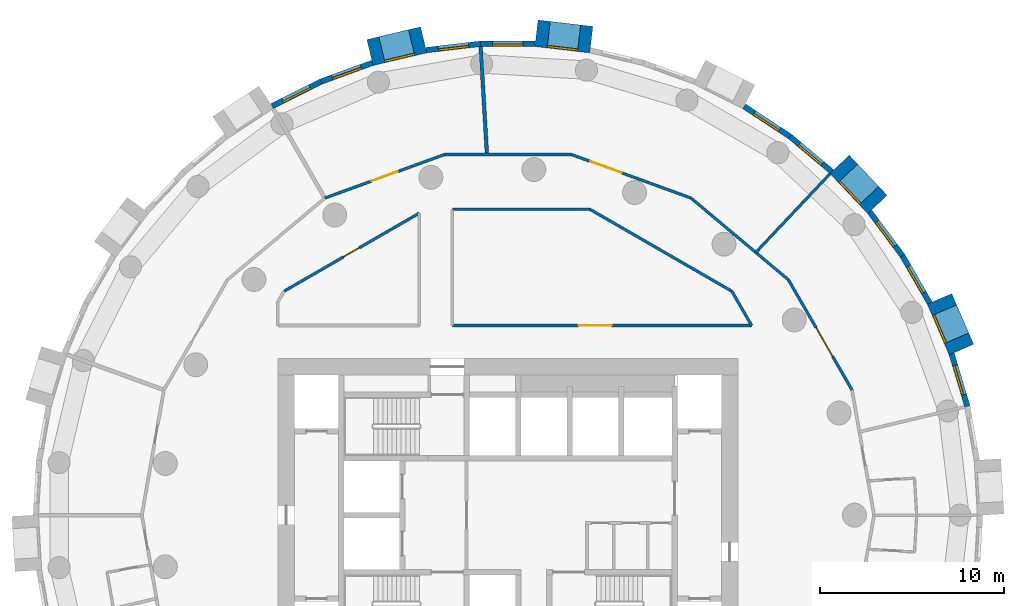
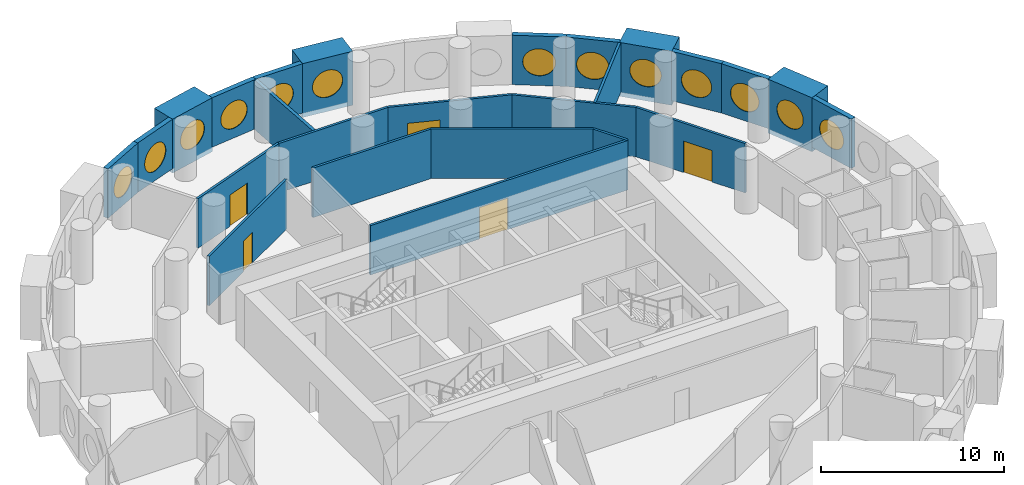
# One storey, part 7 of 9: 25 walls, 13 windows, 5 doors, 18 openings.
"""IFC4 building model written with IfcOpenShell, lengths in metres."""

from ifc_helpers import new_model, si_unit, direction, frame, frame_2d, origin, origin_2d, place, context, subcontext, project, spatial, rectangle, circle, extrude, material, layer, layer_set, type_object, element, fill, save


model = new_model("IFC4")

# Units and contexts
model_context = context("Model", 3, precision=1e-05, world=origin(), true_north=direction((0.0, 1.0)))
body_context = subcontext(model_context, "Body", "Model", "MODEL_VIEW")
ifc_project = project(units=[si_unit("LENGTHUNIT", "METRE"), si_unit("AREAUNIT", "SQUARE_METRE"), si_unit("VOLUMEUNIT", "CUBIC_METRE"), si_unit("PLANEANGLEUNIT", "RADIAN"), si_unit("MASSUNIT", "GRAM", prefix="KILO")], contexts=[model_context])

# Site, building, storey
site_placement = place(None, origin())
site = spatial("IfcSite", under=ifc_project, at=site_placement, CompositionType="ELEMENT")
building_placement = place(site_placement, origin())
building = spatial("IfcBuilding", under=site, at=building_placement, Name="Tracery Tower", CompositionType="ELEMENT")
storey_placement = place(building_placement, frame((0.0, 0.0, 198.0)))
storey = spatial("IfcBuildingStorey", under=building, at=storey_placement, Name="L51", CompositionType="ELEMENT", Elevation=198.0)

# Wall, opening, window
ifc_material_1 = material(Name="Precast concrete C50/60", Category="concrete")
ifc_layer_1 = layer(ifc_material_1, 1.449951171875)
ifc_layer_set_1 = layer_set([ifc_layer_1], Name="Deep-set bay unit 3000 x 3600, slab edge 300")
wall_type_1 = type_object("IfcWallType", Name="Deep-set bay unit 3000 x 3600, slab edge 300", PredefinedType="ELEMENTEDWALL", material=ifc_layer_set_1)
wall_1_placement = place(storey_placement, frame((24.632080078125, 8.99169921875, -0.300048828125), z_axis=(0.0, 0.0, 1.0), x_axis=(-0.396079003245, 0.918216435917, 0.0)))
wall_1 = element("IfcWall", 1, at=wall_1_placement, inside=storey, type_object=wall_type_1, Name="Deep-set bay unit 4 at L51", PredefinedType="ELEMENTEDWALL", context=body_context, shape_type="SweptSolid", body=[
    extrude(rectangle(XDim=3.0, YDim=1.449951171875, at=frame_2d((1.5, 0.0))), origin(), (0.0, 0.0, 1.0), 3.60009765625),
])
opening_1_placement = place(wall_1_placement, frame((1.5, 0.0, 1.85009765625)))
opening_1 = element("IfcOpeningElement", 2, at=opening_1_placement, cuts=wall_1, Name="Opening WN1", PredefinedType="OPENING", context=body_context, shape_type="SweptSolid", body=[
    extrude(circle(Radius=0.9000244140625, at=origin_2d()), frame((0.0, 0.73486328125, 0.0), z_axis=(0.0, -1.0, 0.0), x_axis=(1.0, 0.0, 0.0)), (0.0, 0.0, 1.0), 1.469970703125),
])
ifc_material_2 = material(Name="Aluminium frame with tinted double glazing", Category="aluminium")
window_type = type_object("IfcWindowType", Name="Round window 1800", PartitioningType="SINGLE_PANEL", PredefinedType="WINDOW", material=ifc_material_2)
window_1_placement = place(opening_1_placement, origin())
window_1 = element("IfcWindow", 3, at=window_1_placement, inside=storey, type_object=window_type, Name="Round window 4 at L51", OverallHeight=1.800048828125, OverallWidth=1.800048828125, PartitioningType="SINGLE_PANEL", PredefinedType="WINDOW", context=body_context, shape_type="SweptSolid", body=[
    extrude(circle(Radius=0.9000244140625, at=origin_2d()), frame((0.0, 0.69482421875, 0.0), z_axis=(0.0, -1.0, 0.0), x_axis=(1.0, 0.0, 0.0)), (0.0, 0.0, 1.0), 0.10009765625),
])
fill(opening_1, window_1)

wall_2_placement = place(storey_placement, frame((20.0712890625, 16.8740234375, -0.300048828125), z_axis=(0.0, 0.0, 1.0), x_axis=(-0.686217177108, 0.727396718334, 0.0)))
wall_2 = element("IfcWall", 4, at=wall_2_placement, inside=storey, type_object=wall_type_1, Name="Deep-set bay unit 7 at L51", PredefinedType="ELEMENTEDWALL", context=body_context, shape_type="SweptSolid", body=[
    extrude(rectangle(XDim=3.0, YDim=1.449951171875, at=frame_2d((1.5, 0.0))), origin(), (0.0, 0.0, 1.0), 3.60009765625),
])
opening_2_placement = place(wall_2_placement, frame((1.5, 0.0, 1.85009765625)))
opening_2 = element("IfcOpeningElement", 5, at=opening_2_placement, cuts=wall_2, Name="Opening WN1", PredefinedType="OPENING", context=body_context, shape_type="SweptSolid", body=[
    extrude(circle(Radius=0.9000244140625, at=origin_2d()), frame((0.0, 0.73486328125, 0.0), z_axis=(0.0, -1.0, 0.0), x_axis=(1.0, 0.0, 0.0)), (0.0, 0.0, 1.0), 1.469970703125),
])
window_2_placement = place(opening_2_placement, origin())
window_2 = element("IfcWindow", 6, at=window_2_placement, inside=storey, type_object=window_type, Name="Round window 7 at L51", OverallHeight=1.800048828125, OverallWidth=1.800048828125, PartitioningType="SINGLE_PANEL", PredefinedType="WINDOW", context=body_context, shape_type="SweptSolid", body=[
    extrude(circle(Radius=0.9000244140625, at=origin_2d()), frame((0.0, 0.69482421875, 0.0), z_axis=(0.0, -1.0, 0.0), x_axis=(1.0, 0.0, 0.0)), (0.0, 0.0, 1.0), 0.10009765625),
])
fill(opening_2, window_2)

wall_3_placement = place(storey_placement, frame((4.529052734375, 25.827880859375, -0.300048828125), z_axis=(0.0, 0.0, 1.0), x_axis=(-0.9932342274, 0.116128246006, 0.0)))
wall_3 = element("IfcWall", 7, at=wall_3_placement, inside=storey, type_object=wall_type_1, Name="Deep-set bay unit 13 at L51", PredefinedType="ELEMENTEDWALL", context=body_context, shape_type="SweptSolid", body=[
    extrude(rectangle(XDim=3.0, YDim=1.449951171875, at=frame_2d((1.5, 0.0))), origin(), (0.0, 0.0, 1.0), 3.60009765625),
])
opening_3_placement = place(wall_3_placement, frame((1.5, 0.0, 1.85009765625)))
opening_3 = element("IfcOpeningElement", 8, at=opening_3_placement, cuts=wall_3, Name="Opening WN1", PredefinedType="OPENING", context=body_context, shape_type="SweptSolid", body=[
    extrude(circle(Radius=0.9000244140625, at=origin_2d()), frame((0.0, 0.73486328125, 0.0), z_axis=(0.0, -1.0, 0.0), x_axis=(1.0, 0.0, 0.0)), (0.0, 0.0, 1.0), 1.469970703125),
])
window_3_placement = place(opening_3_placement, origin())
window_3 = element("IfcWindow", 9, at=window_3_placement, inside=storey, type_object=window_type, Name="Round window 13 at L51", OverallHeight=1.800048828125, OverallWidth=1.800048828125, PartitioningType="SINGLE_PANEL", PredefinedType="WINDOW", context=body_context, shape_type="SweptSolid", body=[
    extrude(circle(Radius=0.9000244140625, at=origin_2d()), frame((0.0, 0.69482421875, 0.0), z_axis=(0.0, -1.0, 0.0), x_axis=(1.0, 0.0, 0.0)), (0.0, 0.0, 1.0), 0.10009765625),
])
fill(opening_3, window_3)

wall_4_placement = place(storey_placement, frame((-4.57763671875, 25.8193359375, -0.300048828125), z_axis=(0.0, 0.0, 1.0), x_axis=(-0.973042333261, -0.23062657627, 0.0)))
wall_4 = element("IfcWall", 10, at=wall_4_placement, inside=storey, type_object=wall_type_1, Name="Deep-set bay unit 16 at L51", PredefinedType="ELEMENTEDWALL", context=body_context, shape_type="SweptSolid", body=[
    extrude(rectangle(XDim=3.0, YDim=1.449951171875, at=frame_2d((1.5, 0.0))), origin(), (0.0, 0.0, 1.0), 3.60009765625),
])
opening_4_placement = place(wall_4_placement, frame((1.5, 0.0, 1.85009765625)))
opening_4 = element("IfcOpeningElement", 11, at=opening_4_placement, cuts=wall_4, Name="Opening WN1", PredefinedType="OPENING", context=body_context, shape_type="SweptSolid", body=[
    extrude(circle(Radius=0.9000244140625, at=origin_2d()), frame((0.0, 0.73486328125, 0.0), z_axis=(0.0, -1.0, 0.0), x_axis=(1.0, 0.0, 0.0)), (0.0, 0.0, 1.0), 1.469970703125),
])
window_4_placement = place(opening_4_placement, origin())
window_4 = element("IfcWindow", 12, at=window_4_placement, inside=storey, type_object=window_type, Name="Round window 16 at L51", OverallHeight=1.800048828125, OverallWidth=1.800048828125, PartitioningType="SINGLE_PANEL", PredefinedType="WINDOW", context=body_context, shape_type="SweptSolid", body=[
    extrude(circle(Radius=0.9000244140625, at=origin_2d()), frame((0.0, 0.69482421875, 0.0), z_axis=(0.0, -1.0, 0.0), x_axis=(1.0, 0.0, 0.0)), (0.0, 0.0, 1.0), 0.10009765625),
])
fill(opening_4, window_4)

ifc_material_3 = material(Name="Precast concrete C50/60", Category="concrete")
ifc_layer_2 = layer(ifc_material_3, 0.300048828125)
ifc_layer_set_2 = layer_set([ifc_layer_2], Name="Facade panel 3000 x 3300")
wall_type_2 = type_object("IfcWallType", Name="Facade panel 3000 x 3300", PredefinedType="SOLIDWALL", material=ifc_layer_set_2)
wall_5_placement = place(storey_placement, frame((24.9560546875, 5.914794921875, 0.0), z_axis=(0.0, 0.0, 1.0), x_axis=(-0.286782750849, 0.957995643944, 0.0)))
wall_5 = element("IfcWall", 13, at=wall_5_placement, inside=storey, type_object=wall_type_2, Name="Facade panel 3 at L51", PredefinedType="SOLIDWALL", context=body_context, shape_type="SweptSolid", body=[
    extrude(rectangle(XDim=2.97265625, YDim=0.300048828125, at=frame_2d((1.486328125, 0.0))), origin(), (0.0, 0.0, 1.0), 3.300048828125),
])
opening_5_placement = place(wall_5_placement, frame((1.486328125, 0.0, 1.5498046875)))
opening_5 = element("IfcOpeningElement", 14, at=opening_5_placement, cuts=wall_5, Name="Opening WN1", PredefinedType="OPENING", context=body_context, shape_type="SweptSolid", body=[
    extrude(circle(Radius=0.9000244140625, at=origin_2d()), frame((0.0, 0.159912109375, 0.0), z_axis=(0.0, -1.0, 0.0), x_axis=(1.0, 0.0, 0.0)), (0.0, 0.0, 1.0), 0.320068359375),
])
window_5_placement = place(opening_5_placement, origin())
window_5 = element("IfcWindow", 15, at=window_5_placement, inside=storey, type_object=window_type, Name="Round window 3 at L51", OverallHeight=1.800048828125, OverallWidth=1.800048828125, PartitioningType="SINGLE_PANEL", PredefinedType="WINDOW", context=body_context, shape_type="SweptSolid", body=[
    extrude(circle(Radius=0.9000244140625, at=origin_2d()), frame((0.0, 0.1201171875, 0.0), z_axis=(0.0, -1.0, 0.0), x_axis=(1.0, 0.0, 0.0)), (0.0, 0.0, 1.0), 0.10009765625),
])
fill(opening_5, window_5)

wall_6_placement = place(storey_placement, frame((22.91455078125, 11.518798828125, 0.0), z_axis=(0.0, 0.0, 1.0), x_axis=(-0.499954672104, 0.866051572276, 0.0)))
wall_6 = element("IfcWall", 16, at=wall_6_placement, inside=storey, type_object=wall_type_2, Name="Facade panel 5 at L51", PredefinedType="SOLIDWALL", context=body_context, shape_type="SweptSolid", body=[
    extrude(rectangle(XDim=2.972900390625, YDim=0.300048828125, at=frame_2d((1.486328125, 0.0))), origin(), (0.0, 0.0, 1.0), 3.300048828125),
])
opening_6_placement = place(wall_6_placement, frame((1.486328125, 0.0, 1.5498046875)))
opening_6 = element("IfcOpeningElement", 17, at=opening_6_placement, cuts=wall_6, Name="Opening WN1", PredefinedType="OPENING", context=body_context, shape_type="SweptSolid", body=[
    extrude(circle(Radius=0.9000244140625, at=origin_2d()), frame((0.0, 0.159912109375, 0.0), z_axis=(0.0, -1.0, 0.0), x_axis=(1.0, 0.0, 0.0)), (0.0, 0.0, 1.0), 0.320068359375),
])
window_6_placement = place(opening_6_placement, origin())
window_6 = element("IfcWindow", 18, at=window_6_placement, inside=storey, type_object=window_type, Name="Round window 5 at L51", OverallHeight=1.800048828125, OverallWidth=1.800048828125, PartitioningType="SINGLE_PANEL", PredefinedType="WINDOW", context=body_context, shape_type="SweptSolid", body=[
    extrude(circle(Radius=0.9000244140625, at=origin_2d()), frame((0.0, 0.1201171875, 0.0), z_axis=(0.0, -1.0, 0.0), x_axis=(1.0, 0.0, 0.0)), (0.0, 0.0, 1.0), 0.10009765625),
])
fill(opening_6, window_6)

wall_7_placement = place(storey_placement, frame((21.42822265625, 14.093505859375, 0.0), z_axis=(0.0, 0.0, 1.0), x_axis=(-0.597197580538, 0.80209416517, 0.0)))
wall_7 = element("IfcWall", 19, at=wall_7_placement, inside=storey, type_object=wall_type_2, Name="Facade panel 6 at L51", PredefinedType="SOLIDWALL", context=body_context, shape_type="SweptSolid", body=[
    extrude(rectangle(XDim=2.972900390625, YDim=0.300048828125, at=frame_2d((1.486328125, 0.0))), origin(), (0.0, 0.0, 1.0), 3.300048828125),
])
opening_7_placement = place(wall_7_placement, frame((1.486328125, 0.0, 1.5498046875)))
opening_7 = element("IfcOpeningElement", 20, at=opening_7_placement, cuts=wall_7, Name="Opening WN1", PredefinedType="OPENING", context=body_context, shape_type="SweptSolid", body=[
    extrude(circle(Radius=0.9000244140625, at=origin_2d()), frame((0.0, 0.159912109375, 0.0), z_axis=(0.0, -1.0, 0.0), x_axis=(1.0, 0.0, 0.0)), (0.0, 0.0, 1.0), 0.320068359375),
])
window_7_placement = place(opening_7_placement, origin())
window_7 = element("IfcWindow", 21, at=window_7_placement, inside=storey, type_object=window_type, Name="Round window 6 at L51", OverallHeight=1.800048828125, OverallWidth=1.800048828125, PartitioningType="SINGLE_PANEL", PredefinedType="WINDOW", context=body_context, shape_type="SweptSolid", body=[
    extrude(circle(Radius=0.9000244140625, at=origin_2d()), frame((0.0, 0.1201171875, 0.0), z_axis=(0.0, -1.0, 0.0), x_axis=(1.0, 0.0, 0.0)), (0.0, 0.0, 1.0), 0.10009765625),
])
fill(opening_7, window_7)

wall_8_placement = place(storey_placement, frame((17.593017578125, 18.661376953125, 0.0), z_axis=(0.0, 0.0, 1.0), x_axis=(-0.766008913364, 0.642829950023, 0.0)))
wall_8 = element("IfcWall", 22, at=wall_8_placement, inside=storey, type_object=wall_type_2, Name="Facade panel 8 at L51", PredefinedType="SOLIDWALL", context=body_context, shape_type="SweptSolid", body=[
    extrude(rectangle(XDim=2.972900390625, YDim=0.300048828125, at=frame_2d((1.486328125, 0.0))), origin(), (0.0, 0.0, 1.0), 3.300048828125),
])
opening_8_placement = place(wall_8_placement, frame((1.486328125, 0.0, 1.5498046875)))
opening_8 = element("IfcOpeningElement", 23, at=opening_8_placement, cuts=wall_8, Name="Opening WN1", PredefinedType="OPENING", context=body_context, shape_type="SweptSolid", body=[
    extrude(circle(Radius=0.9000244140625, at=origin_2d()), frame((0.0, 0.159912109375, 0.0), z_axis=(0.0, -1.0, 0.0), x_axis=(1.0, 0.0, 0.0)), (0.0, 0.0, 1.0), 0.320068359375),
])
window_8_placement = place(opening_8_placement, origin())
window_8 = element("IfcWindow", 24, at=window_8_placement, inside=storey, type_object=window_type, Name="Round window 8 at L51", OverallHeight=1.800048828125, OverallWidth=1.800048828125, PartitioningType="SINGLE_PANEL", PredefinedType="WINDOW", context=body_context, shape_type="SweptSolid", body=[
    extrude(circle(Radius=0.9000244140625, at=origin_2d()), frame((0.0, 0.1201171875, 0.0), z_axis=(0.0, -1.0, 0.0), x_axis=(1.0, 0.0, 0.0)), (0.0, 0.0, 1.0), 0.10009765625),
])
fill(opening_8, window_8)

wall_9_placement = place(storey_placement, frame((15.315673828125, 20.572509765625, 0.0), z_axis=(0.0, 0.0, 1.0), x_axis=(-0.835508361394, 0.54947773207, 0.0)))
wall_9 = element("IfcWall", 25, at=wall_9_placement, inside=storey, type_object=wall_type_2, Name="Facade panel 9 at L51", PredefinedType="SOLIDWALL", context=body_context, shape_type="SweptSolid", body=[
    extrude(rectangle(XDim=2.972900390625, YDim=0.300048828125, at=frame_2d((1.486328125, 0.0))), origin(), (0.0, 0.0, 1.0), 3.300048828125),
])
opening_9_placement = place(wall_9_placement, frame((1.486328125, 0.0, 1.5498046875)))
opening_9 = element("IfcOpeningElement", 26, at=opening_9_placement, cuts=wall_9, Name="Opening WN1", PredefinedType="OPENING", context=body_context, shape_type="SweptSolid", body=[
    extrude(circle(Radius=0.9000244140625, at=origin_2d()), frame((0.0, 0.159912109375, 0.0), z_axis=(0.0, -1.0, 0.0), x_axis=(1.0, 0.0, 0.0)), (0.0, 0.0, 1.0), 0.320068359375),
])
window_9_placement = place(opening_9_placement, origin())
window_9 = element("IfcWindow", 27, at=window_9_placement, inside=storey, type_object=window_type, Name="Round window 9 at L51", OverallHeight=1.800048828125, OverallWidth=1.800048828125, PartitioningType="SINGLE_PANEL", PredefinedType="WINDOW", context=body_context, shape_type="SweptSolid", body=[
    extrude(circle(Radius=0.9000244140625, at=origin_2d()), frame((0.0, 0.1201171875, 0.0), z_axis=(0.0, -1.0, 0.0), x_axis=(1.0, 0.0, 0.0)), (0.0, 0.0, 1.0), 0.10009765625),
])
fill(opening_9, window_9)

wall_10_placement = place(storey_placement, frame((1.481689453125, 25.60400390625, 0.0), z_axis=(0.0, 0.0, 1.0), x_axis=(-1.0, 0.0, 0.0)))
wall_10 = element("IfcWall", 28, at=wall_10_placement, inside=storey, type_object=wall_type_2, Name="Facade panel 14 at L51", PredefinedType="SOLIDWALL", context=body_context, shape_type="SweptSolid", body=[
    extrude(rectangle(XDim=2.972900390625, YDim=0.300048828125, at=frame_2d((1.486328125, 0.0))), origin(), (0.0, 0.0, 1.0), 3.300048828125),
])
opening_10_placement = place(wall_10_placement, frame((1.486328125, 0.0, 1.5498046875)))
opening_10 = element("IfcOpeningElement", 29, at=opening_10_placement, cuts=wall_10, Name="Opening WN1", PredefinedType="OPENING", context=body_context, shape_type="SweptSolid", body=[
    extrude(circle(Radius=0.9000244140625, at=origin_2d()), frame((0.0, 0.159912109375, 0.0), z_axis=(0.0, -1.0, 0.0), x_axis=(1.0, 0.0, 0.0)), (0.0, 0.0, 1.0), 0.320068359375),
])
window_10_placement = place(opening_10_placement, origin())
window_10 = element("IfcWindow", 30, at=window_10_placement, inside=storey, type_object=window_type, Name="Round window 14 at L51", OverallHeight=1.800048828125, OverallWidth=1.800048828125, PartitioningType="SINGLE_PANEL", PredefinedType="WINDOW", context=body_context, shape_type="SweptSolid", body=[
    extrude(circle(Radius=0.9000244140625, at=origin_2d()), frame((0.0, 0.1201171875, 0.0), z_axis=(0.0, -1.0, 0.0), x_axis=(1.0, 0.0, 0.0)), (0.0, 0.0, 1.0), 0.10009765625),
])
fill(opening_10, window_10)

wall_11_placement = place(storey_placement, frame((-1.4912109375, 25.60400390625, 0.0), z_axis=(0.0, 0.0, 1.0), x_axis=(-0.993245010522, -0.1160359818, 0.0)))
wall_11 = element("IfcWall", 31, at=wall_11_placement, inside=storey, type_object=wall_type_2, Name="Facade panel 15 at L51", PredefinedType="SOLIDWALL", context=body_context, shape_type="SweptSolid", body=[
    extrude(rectangle(XDim=2.972900390625, YDim=0.300048828125, at=frame_2d((1.486328125, 0.0))), origin(), (0.0, 0.0, 1.0), 3.300048828125),
])
opening_11_placement = place(wall_11_placement, frame((1.486328125, 0.0, 1.5498046875)))
opening_11 = element("IfcOpeningElement", 32, at=opening_11_placement, cuts=wall_11, Name="Opening WN1", PredefinedType="OPENING", context=body_context, shape_type="SweptSolid", body=[
    extrude(circle(Radius=0.9000244140625, at=origin_2d()), frame((0.0, 0.159912109375, 0.0), z_axis=(0.0, -1.0, 0.0), x_axis=(1.0, 0.0, 0.0)), (0.0, 0.0, 1.0), 0.320068359375),
])
window_11_placement = place(opening_11_placement, origin())
window_11 = element("IfcWindow", 33, at=window_11_placement, inside=storey, type_object=window_type, Name="Round window 15 at L51", OverallHeight=1.800048828125, OverallWidth=1.800048828125, PartitioningType="SINGLE_PANEL", PredefinedType="WINDOW", context=body_context, shape_type="SweptSolid", body=[
    extrude(circle(Radius=0.9000244140625, at=origin_2d()), frame((0.0, 0.1201171875, 0.0), z_axis=(0.0, -1.0, 0.0), x_axis=(1.0, 0.0, 0.0)), (0.0, 0.0, 1.0), 0.10009765625),
])
fill(opening_11, window_11)

wall_12_placement = place(storey_placement, frame((-7.36474609375, 24.566650390625, 0.0), z_axis=(0.0, 0.0, 1.0), x_axis=(-0.939690282133, -0.342026568652, 0.0)))
wall_12 = element("IfcWall", 34, at=wall_12_placement, inside=storey, type_object=wall_type_2, Name="Facade panel 17 at L51", PredefinedType="SOLIDWALL", context=body_context, shape_type="SweptSolid", body=[
    extrude(rectangle(XDim=2.972900390625, YDim=0.300048828125, at=frame_2d((1.486328125, 0.0))), origin(), (0.0, 0.0, 1.0), 3.300048828125),
])
opening_12_placement = place(wall_12_placement, frame((1.486328125, 0.0, 1.5498046875)))
opening_12 = element("IfcOpeningElement", 35, at=opening_12_placement, cuts=wall_12, Name="Opening WN1", PredefinedType="OPENING", context=body_context, shape_type="SweptSolid", body=[
    extrude(circle(Radius=0.9000244140625, at=origin_2d()), frame((0.0, 0.159912109375, 0.0), z_axis=(0.0, -1.0, 0.0), x_axis=(1.0, 0.0, 0.0)), (0.0, 0.0, 1.0), 0.320068359375),
])
window_12_placement = place(opening_12_placement, origin())
window_12 = element("IfcWindow", 36, at=window_12_placement, inside=storey, type_object=window_type, Name="Round window 17 at L51", OverallHeight=1.800048828125, OverallWidth=1.800048828125, PartitioningType="SINGLE_PANEL", PredefinedType="WINDOW", context=body_context, shape_type="SweptSolid", body=[
    extrude(circle(Radius=0.9000244140625, at=origin_2d()), frame((0.0, 0.1201171875, 0.0), z_axis=(0.0, -1.0, 0.0), x_axis=(1.0, 0.0, 0.0)), (0.0, 0.0, 1.0), 0.10009765625),
])
fill(opening_12, window_12)

wall_13_placement = place(storey_placement, frame((-10.158447265625, 23.5498046875, 0.0), z_axis=(0.0, 0.0, 1.0), x_axis=(-0.893637442555, -0.448789618045, 0.0)))
wall_13 = element("IfcWall", 37, at=wall_13_placement, inside=storey, type_object=wall_type_2, Name="Facade panel 18 at L51", PredefinedType="SOLIDWALL", context=body_context, shape_type="SweptSolid", body=[
    extrude(rectangle(XDim=2.972900390625, YDim=0.300048828125, at=frame_2d((1.486328125, 0.0))), origin(), (0.0, 0.0, 1.0), 3.300048828125),
])
opening_13_placement = place(wall_13_placement, frame((1.486328125, 0.0, 1.5498046875)))
opening_13 = element("IfcOpeningElement", 38, at=opening_13_placement, cuts=wall_13, Name="Opening WN1", PredefinedType="OPENING", context=body_context, shape_type="SweptSolid", body=[
    extrude(circle(Radius=0.9000244140625, at=origin_2d()), frame((0.0, 0.159912109375, 0.0), z_axis=(0.0, -1.0, 0.0), x_axis=(1.0, 0.0, 0.0)), (0.0, 0.0, 1.0), 0.320068359375),
])
window_13_placement = place(opening_13_placement, origin())
window_13 = element("IfcWindow", 39, at=window_13_placement, inside=storey, type_object=window_type, Name="Round window 18 at L51", OverallHeight=1.800048828125, OverallWidth=1.800048828125, PartitioningType="SINGLE_PANEL", PredefinedType="WINDOW", context=body_context, shape_type="SweptSolid", body=[
    extrude(circle(Radius=0.9000244140625, at=origin_2d()), frame((0.0, 0.1201171875, 0.0), z_axis=(0.0, -1.0, 0.0), x_axis=(1.0, 0.0, 0.0)), (0.0, 0.0, 1.0), 0.10009765625),
])
fill(opening_13, window_13)

# Wall
ifc_material_4 = material(Name="Plasterboard on steel studs", Category="steel")
ifc_layer_3 = layer(ifc_material_4, 0.14990234375)
ifc_layer_set_3 = layer_set([ifc_layer_3], Name="Partition 150 acoustic unit wall")
wall_type_3 = type_object("IfcWallType", Name="Partition 150 acoustic unit wall", PredefinedType="PARTITIONING", material=ifc_layer_set_3)
wall_14_placement = place(storey_placement, frame((13.462890625, 14.27001953125, 0.0), z_axis=(0.0, 0.0, 1.0), x_axis=(0.6862502776, 0.72736549031, 0.0)))
element("IfcWall", 40, at=wall_14_placement, inside=storey, type_object=wall_type_3, Name="Unit wall RB7-044", PredefinedType="PARTITIONING", context=body_context, shape_type="SweptSolid", body=[
    extrude(rectangle(XDim=5.878662109375, YDim=0.14990234375, at=frame_2d((2.939453125, 0.0))), origin(), (0.0, 0.0, 1.0), 3.300048828125),
])

# Wall, opening, door
ifc_material_5 = material(Name="Plasterboard on steel studs", Category="steel")
ifc_layer_4 = layer(ifc_material_5, 0.14990234375)
ifc_layer_set_4 = layer_set([ifc_layer_4], Name="Partition 150 corridor wall")
wall_type_4 = type_object("IfcWallType", Name="Partition 150 corridor wall", PredefinedType="PARTITIONING", material=ifc_layer_set_4)
wall_15_placement = place(storey_placement, frame((-3.02490234375, 10.300048828125, 0.0), z_axis=(0.0, 0.0, 1.0), x_axis=(1.0, 0.0, 0.0)))
wall_15 = element("IfcWall", 41, at=wall_15_placement, inside=storey, type_object=wall_type_4, Name="Corridor wall RB7-002", PredefinedType="PARTITIONING", context=body_context, shape_type="SweptSolid", body=[
    extrude(rectangle(XDim=16.261962890625, YDim=0.14990234375, at=frame_2d((8.130859375, 0.0))), origin(), (0.0, 0.0, 1.0), 3.300048828125),
])
opening_14_placement = place(wall_15_placement, frame((6.863037109375, 0.0, 0.0)))
opening_14 = element("IfcOpeningElement", 42, at=opening_14_placement, cuts=wall_15, Name="Opening RB7-02", PredefinedType="OPENING", context=body_context, shape_type="SweptSolid", body=[
    extrude(rectangle(XDim=1.800048828125, YDim=2.10009765625, at=frame_2d((0.89990234375, 1.050048828125))), frame((0.0, 0.074951171875, 0.0), z_axis=(0.0, -1.0, 0.0), x_axis=(1.0, 0.0, 0.0)), (0.0, 0.0, 1.0), 0.14990234375),
])
ifc_material_6 = material(Name="Timber door leaf", Category="wood")
door_type_1 = type_object("IfcDoorType", Name="Door double lounge 1800", OperationType="NOTDEFINED", PredefinedType="DOOR", material=ifc_material_6)
door_1_placement = place(opening_14_placement, origin())
door_1 = element("IfcDoor", 43, at=door_1_placement, inside=storey, type_object=door_type_1, Name="Double lounge door RB7-02", OperationType="DOUBLE_DOOR_SINGLE_SWING", OverallHeight=2.10009765625, OverallWidth=1.800048828125, PredefinedType="DOOR", context=body_context, shape_type="SweptSolid", body=[
    extrude(rectangle(XDim=1.800048828125, YDim=2.10009765625, at=frame_2d((0.89990234375, 1.050048828125))), frame((0.0, 0.02490234375, 0.0), z_axis=(0.0, -1.0, 0.0), x_axis=(1.0, 0.0, 0.0)), (0.0, 0.0, 1.0), 0.050048828125),
])
fill(opening_14, door_1)

# Walls
wall_16_placement = place(storey_placement, frame((12.162109375, 12.162109375, 0.0), z_axis=(0.0, 0.0, 1.0), x_axis=(0.499961633463, -0.866047553582, 0.0)))
element("IfcWall", 44, at=wall_16_placement, inside=storey, type_object=wall_type_4, Name="Corridor wall RB7-005", PredefinedType="PARTITIONING", context=body_context, shape_type="SweptSolid", body=[
    extrude(rectangle(XDim=2.150146484375, YDim=0.14990234375, at=frame_2d((1.0751953125, 0.0))), origin(), (0.0, 0.0, 1.0), 3.300048828125),
])
wall_17_placement = place(storey_placement, frame((9.943359375, 17.22216796875, 0.0), z_axis=(0.0, 0.0, 1.0), x_axis=(0.766192104565, -0.642611592567, 0.0)))
element("IfcWall", 45, at=wall_17_placement, inside=storey, type_object=wall_type_4, Name="Corridor wall RB7-008", PredefinedType="PARTITIONING", context=body_context, shape_type="SweptSolid", body=[
    extrude(rectangle(XDim=6.906494140625, YDim=0.14990234375, at=frame_2d((3.453125, 0.0))), origin(), (0.0, 0.0, 1.0), 3.300048828125),
])

# Wall, opening, door
wall_18_placement = place(storey_placement, frame((15.235107421875, 12.783935546875, 0.0), z_axis=(0.0, 0.0, 1.0), x_axis=(0.499914202267, -0.866074933462, 0.0)))
wall_18 = element("IfcWall", 46, at=wall_18_placement, inside=storey, type_object=wall_type_4, Name="Corridor wall RB7-009", PredefinedType="PARTITIONING", context=body_context, shape_type="SweptSolid", body=[
    extrude(rectangle(XDim=6.906982421875, YDim=0.14990234375, at=frame_2d((3.45361328125, 0.0))), origin(), (0.0, 0.0, 1.0), 3.300048828125),
])
opening_15_placement = place(wall_18_placement, frame((3.00390625, 0.0, 0.0)))
opening_15 = element("IfcOpeningElement", 47, at=opening_15_placement, cuts=wall_18, Name="Opening RB7-07", PredefinedType="OPENING", context=body_context, shape_type="SweptSolid", body=[
    extrude(rectangle(XDim=1.800048828125, YDim=2.10009765625, at=frame_2d((0.89990234375, 1.050048828125))), frame((0.0, 0.074951171875, 0.0), z_axis=(0.0, -1.0, 0.0), x_axis=(1.0, 0.0, 0.0)), (0.0, 0.0, 1.0), 0.14990234375),
])
door_2_placement = place(opening_15_placement, origin())
door_2 = element("IfcDoor", 48, at=door_2_placement, inside=storey, type_object=door_type_1, Name="Double lounge door RB7-07", OperationType="DOUBLE_DOOR_SINGLE_SWING", OverallHeight=2.10009765625, OverallWidth=1.800048828125, PredefinedType="DOOR", context=body_context, shape_type="SweptSolid", body=[
    extrude(rectangle(XDim=1.800048828125, YDim=2.10009765625, at=frame_2d((0.89990234375, 1.050048828125))), frame((0.0, 0.02490234375, 0.0), z_axis=(0.0, -1.0, 0.0), x_axis=(1.0, 0.0, 0.0)), (0.0, 0.0, 1.0), 0.050048828125),
])
fill(opening_15, door_2)

wall_19_placement = place(storey_placement, frame((-12.162109375, 12.162109375, 0.0), z_axis=(0.0, 0.0, 1.0), x_axis=(0.866004766557, 0.500035743023, 0.0)))
wall_19 = element("IfcWall", 49, at=wall_19_placement, inside=storey, type_object=wall_type_4, Name="Corridor wall RB7-015", PredefinedType="PARTITIONING", context=body_context, shape_type="SweptSolid", body=[
    extrude(rectangle(XDim=8.47705078125, YDim=0.14990234375, at=frame_2d((4.238525390625, 0.0))), origin(), (0.0, 0.0, 1.0), 3.300048828125),
])
opening_16_placement = place(wall_19_placement, frame((3.739013671875, 0.0, 0.0)))
opening_16 = element("IfcOpeningElement", 50, at=opening_16_placement, cuts=wall_19, Name="Opening RB7-01", PredefinedType="OPENING", context=body_context, shape_type="SweptSolid", body=[
    extrude(rectangle(XDim=1.0, YDim=2.0400390625, at=frame_2d((0.5, 1.02001953125))), frame((0.0, 0.074951171875, 0.0), z_axis=(0.0, -1.0, 0.0), x_axis=(1.0, 0.0, 0.0)), (0.0, 0.0, 1.0), 0.14990234375),
])
ifc_material_7 = material(Name="Timber door leaf", Category="wood")
door_type_2 = type_object("IfcDoorType", Name="Door communal room 1000", OperationType="NOTDEFINED", PredefinedType="DOOR", material=ifc_material_7)
door_3_placement = place(opening_16_placement, origin())
door_3 = element("IfcDoor", 51, at=door_3_placement, inside=storey, type_object=door_type_2, Name="Communal room door RB7-01", OperationType="SINGLE_SWING_LEFT", OverallHeight=2.0400390625, OverallWidth=1.0, PredefinedType="DOOR", context=body_context, shape_type="SweptSolid", body=[
    extrude(rectangle(XDim=1.0, YDim=2.0400390625, at=frame_2d((0.5, 1.02001953125))), frame((0.0, 0.02490234375, 0.0), z_axis=(0.0, -1.0, 0.0), x_axis=(1.0, 0.0, 0.0)), (0.0, 0.0, 1.0), 0.050048828125),
])
fill(opening_16, door_3)

# Walls
wall_20_placement = place(storey_placement, frame((4.451904296875, 16.614013671875, 0.0), z_axis=(0.0, 0.0, 1.0), x_axis=(0.866005203721, -0.500034985904, 0.0)))
element("IfcWall", 52, at=wall_20_placement, inside=storey, type_object=wall_type_4, Name="Corridor wall RB7-016", PredefinedType="PARTITIONING", context=body_context, shape_type="SweptSolid", body=[
    extrude(rectangle(XDim=8.903076171875, YDim=0.14990234375, at=frame_2d((4.45166015625, 0.0))), origin(), (0.0, 0.0, 1.0), 3.300048828125),
])
wall_21_placement = place(storey_placement, frame((-3.02099609375, 16.614013671875, 0.0), z_axis=(0.0, 0.0, 1.0), x_axis=(1.0, 0.0, 0.0)))
element("IfcWall", 53, at=wall_21_placement, inside=storey, type_object=wall_type_4, Name="Corridor wall RB7-017", PredefinedType="PARTITIONING", context=body_context, shape_type="SweptSolid", body=[
    extrude(rectangle(XDim=7.472900390625, YDim=0.14990234375, at=frame_2d((3.736328125, 0.0))), origin(), (0.0, 0.0, 1.0), 3.300048828125),
])
wall_22_placement = place(storey_placement, frame((-3.452880859375, 19.5859375, 0.0), z_axis=(0.0, 0.0, 1.0), x_axis=(1.0, 0.0, 0.0)))
element("IfcWall", 54, at=wall_22_placement, inside=storey, type_object=wall_type_4, Name="Corridor wall RB7-019", PredefinedType="PARTITIONING", context=body_context, shape_type="SweptSolid", body=[
    extrude(rectangle(XDim=6.90576171875, YDim=0.14990234375, at=frame_2d((3.452880859375, 0.0))), origin(), (0.0, 0.0, 1.0), 3.300048828125),
])

# Wall, opening, door
wall_23_placement = place(storey_placement, frame((3.452880859375, 19.5859375, 0.0), z_axis=(0.0, 0.0, 1.0), x_axis=(0.939672634566, -0.342075050021, 0.0)))
wall_23 = element("IfcWall", 55, at=wall_23_placement, inside=storey, type_object=wall_type_4, Name="Corridor wall RB7-020", PredefinedType="PARTITIONING", context=body_context, shape_type="SweptSolid", body=[
    extrude(rectangle(XDim=6.907958984375, YDim=0.14990234375, at=frame_2d((3.4541015625, 0.0))), origin(), (0.0, 0.0, 1.0), 3.300048828125),
])
opening_17_placement = place(wall_23_placement, frame((1.10400390625, 0.0, 0.0)))
opening_17 = element("IfcOpeningElement", 56, at=opening_17_placement, cuts=wall_23, Name="Opening RB7-08", PredefinedType="OPENING", context=body_context, shape_type="SweptSolid", body=[
    extrude(rectangle(XDim=1.800048828125, YDim=2.10009765625, at=frame_2d((0.89990234375, 1.050048828125))), frame((0.0, 0.074951171875, 0.0), z_axis=(0.0, -1.0, 0.0), x_axis=(1.0, 0.0, 0.0)), (0.0, 0.0, 1.0), 0.14990234375),
])
door_4_placement = place(opening_17_placement, origin())
door_4 = element("IfcDoor", 57, at=door_4_placement, inside=storey, type_object=door_type_1, Name="Double lounge door RB7-08", OperationType="DOUBLE_DOOR_SINGLE_SWING", OverallHeight=2.10009765625, OverallWidth=1.800048828125, PredefinedType="DOOR", context=body_context, shape_type="SweptSolid", body=[
    extrude(rectangle(XDim=1.800048828125, YDim=2.10009765625, at=frame_2d((0.89990234375, 1.050048828125))), frame((0.0, 0.02490234375, 0.0), z_axis=(0.0, -1.0, 0.0), x_axis=(1.0, 0.0, 0.0)), (0.0, 0.0, 1.0), 0.050048828125),
])
fill(opening_17, door_4)

wall_24_placement = place(storey_placement, frame((-9.944091796875, 17.222900390625, 0.0), z_axis=(0.0, 0.0, 1.0), x_axis=(0.939672634566, 0.342075050021, 0.0)))
wall_24 = element("IfcWall", 58, at=wall_24_placement, inside=storey, type_object=wall_type_4, Name="Corridor wall RB7-021", PredefinedType="PARTITIONING", context=body_context, shape_type="SweptSolid", body=[
    extrude(rectangle(XDim=6.907958984375, YDim=0.14990234375, at=frame_2d((3.4541015625, 0.0))), origin(), (0.0, 0.0, 1.0), 3.300048828125),
])
opening_18_placement = place(wall_24_placement, frame((2.7041015625, 0.0, 0.0)))
opening_18 = element("IfcOpeningElement", 59, at=opening_18_placement, cuts=wall_24, Name="Opening RB7-09", PredefinedType="OPENING", context=body_context, shape_type="SweptSolid", body=[
    extrude(rectangle(XDim=1.5, YDim=2.10009765625, at=frame_2d((0.75, 1.050048828125))), frame((0.0, 0.074951171875, 0.0), z_axis=(0.0, -1.0, 0.0), x_axis=(1.0, 0.0, 0.0)), (0.0, 0.0, 1.0), 0.14990234375),
])
ifc_material_8 = material(Name="Timber door leaf", Category="wood")
door_type_3 = type_object("IfcDoorType", Name="Door double kitchen 1500", OperationType="NOTDEFINED", PredefinedType="DOOR", material=ifc_material_8)
door_5_placement = place(opening_18_placement, origin())
door_5 = element("IfcDoor", 60, at=door_5_placement, inside=storey, type_object=door_type_3, Name="Double kitchen door RB7-09", OperationType="DOUBLE_DOOR_SINGLE_SWING", OverallHeight=2.10009765625, OverallWidth=1.5, PredefinedType="DOOR", context=body_context, shape_type="SweptSolid", body=[
    extrude(rectangle(XDim=1.5, YDim=2.10009765625, at=frame_2d((0.75, 1.050048828125))), frame((0.0, 0.02490234375, 0.0), z_axis=(0.0, -1.0, 0.0), x_axis=(1.0, 0.0, 0.0)), (0.0, 0.0, 1.0), 0.050048828125),
])
fill(opening_18, door_5)

# Wall
ifc_material_9 = material(Name="Plasterboard on steel studs", Category="steel")
ifc_layer_5 = layer(ifc_material_9, 0.199951171875)
ifc_layer_set_5 = layer_set([ifc_layer_5], Name="Partition 200 compartment wall")
wall_type_5 = type_object("IfcWallType", Name="Partition 200 compartment wall", PredefinedType="PARTITIONING", material=ifc_layer_set_5)
wall_25_placement = place(storey_placement, frame((-1.48291015625, 25.4541015625, 0.0), z_axis=(0.0, 0.0, 1.0), x_axis=(0.058147412668, -0.998308007781, 0.0)))
element("IfcWall", 61, at=wall_25_placement, inside=storey, type_object=wall_type_5, Name="Compartment wall RB7-045", PredefinedType="PARTITIONING", context=body_context, shape_type="SweptSolid", body=[
    extrude(rectangle(XDim=5.878173828125, YDim=0.199951171875, at=frame_2d((2.93896484375, 0.0))), origin(), (0.0, 0.0, 1.0), 3.300048828125),
])

save(model, "model.ifc")
